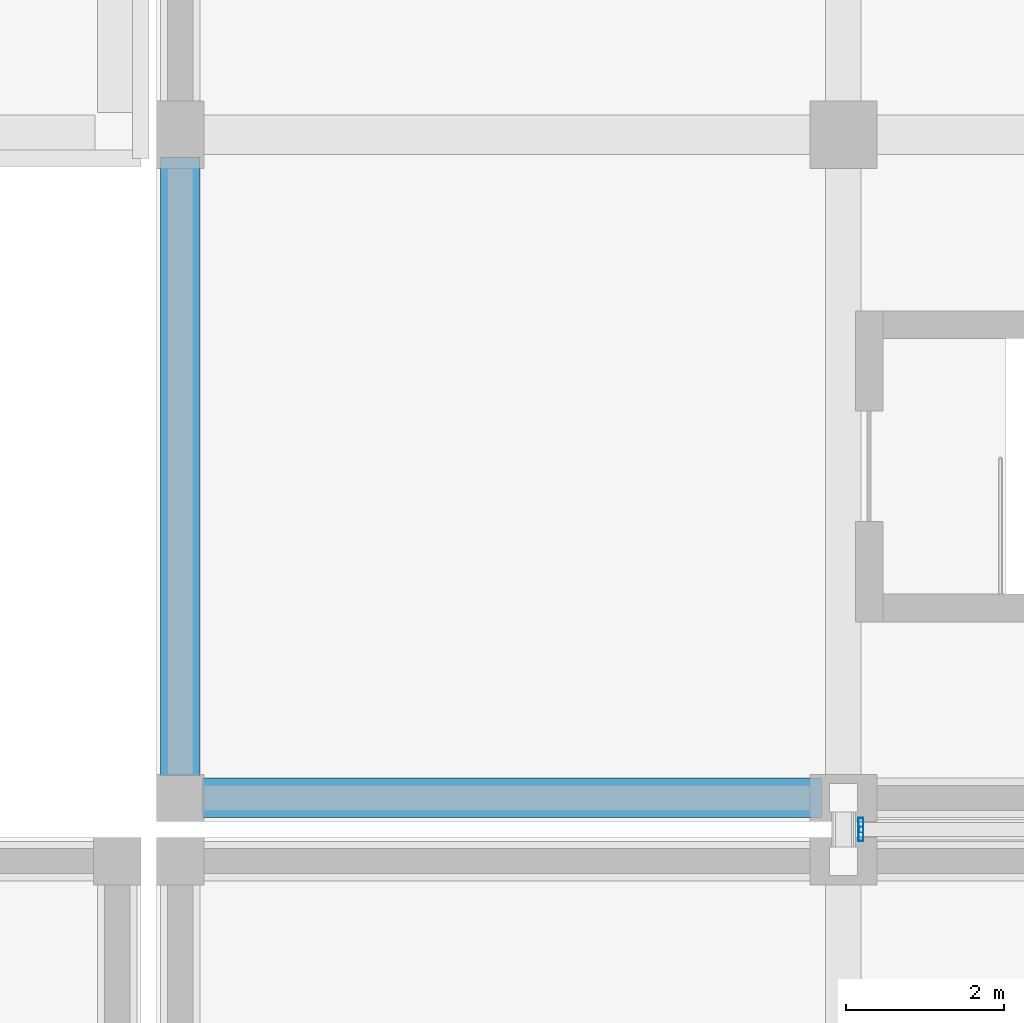
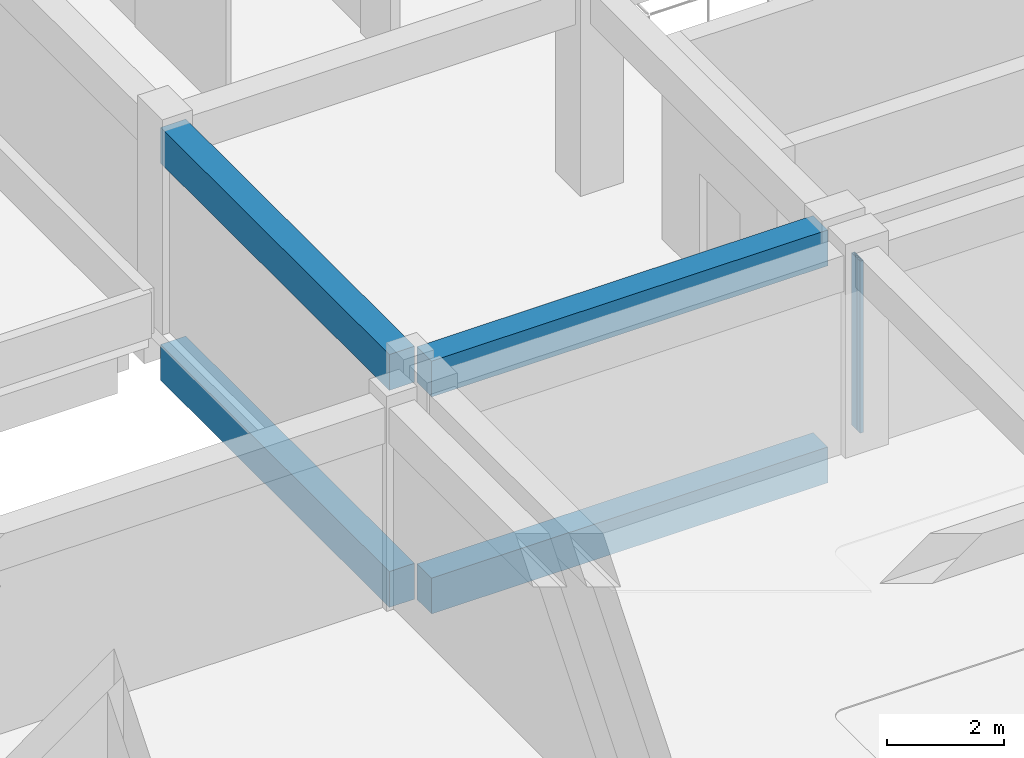
# One storey, part 36 of 129: 4 beams, 2 members, 1 element without a shape of its own.
"""IFC4 building model written with IfcOpenShell, lengths in metres."""

from ifc_helpers import new_model, si_unit, direction, frame, origin, origin_2d, place, context, subcontext, project, spatial, rectangle, hollow_rectangle, extrude, material, layer, layer_set, material_profile, profile_set, type_object, element, aggregate, save


model = new_model("IFC4")

# Units and contexts
model_context = context("Model", 3, precision=1e-05, world=origin(), true_north=direction((0.0, 1.0)))
body_context = subcontext(model_context, "Body", "Model", "MODEL_VIEW")
ifc_project = project(units=[si_unit("LENGTHUNIT", "METRE"), si_unit("AREAUNIT", "SQUARE_METRE"), si_unit("VOLUMEUNIT", "CUBIC_METRE"), si_unit("PLANEANGLEUNIT", "RADIAN"), si_unit("MASSUNIT", "GRAM", prefix="KILO")], contexts=[model_context])

# Site, building, storey
site_placement = place(None, origin())
site = spatial("IfcSite", under=ifc_project, at=site_placement, CompositionType="ELEMENT")
building_placement = place(site_placement, origin())
building = spatial("IfcBuilding", under=site, at=building_placement, Name="Xazarin Passage Department Store", CompositionType="ELEMENT")
storey_placement = place(building_placement, frame((0.0, 0.0, 9.89990234375)))
storey = spatial("IfcBuildingStorey", under=building, at=storey_placement, Name="L02", CompositionType="ELEMENT", Elevation=9.89990234375)

# Curtain wall, members
ifc_material_1 = material(Name="Bronze anodised aluminium", Category="aluminium")
ifc_layer = layer(ifc_material_1, 0.14990234375)
ifc_layer_set = layer_set([ifc_layer], Name="Bronze anodised aluminium")
curtain_wall_type = type_object("IfcCurtainWallType", Name="ARC-CW-BRG1", PredefinedType="NOTDEFINED", material=ifc_layer_set)
curtain_wall_placement = place(storey_placement, origin())
curtain_wall = element("IfcCurtainWall", 1, at=curtain_wall_placement, inside=storey, type_object=curtain_wall_type, Name="L02 BR-V2S-V2N Bridge Curtain Wall 1", PredefinedType="NOTDEFINED")
ifc_material_profile_1 = material_profile(ifc_material_1, hollow_rectangle(XDim=0.06494140625, YDim=0.179931640625, WallThickness=0.00390625, at=origin_2d()), Name="ALU 65x180")
ifc_profile_set_1 = profile_set([ifc_material_profile_1], Name="Bronze anodised aluminium")
member_type = type_object("IfcMemberType", Name="ARC-CWM-65x180", PredefinedType="MULLION", material=ifc_profile_set_1)
member_1_placement = place(storey_placement, frame((76.6201171875, 50.742431640625, 0.0), z_axis=(0.0, 0.0, 1.0), x_axis=(-1.0, 0.0, 0.0)))
member_1 = element("IfcMember", 2, at=member_1_placement, type_object=member_type, Name="CW7 mullion 1", PredefinedType="MULLION", context=body_context, shape_type="SweptSolid", body=[
    extrude(hollow_rectangle(XDim=0.06494140625, YDim=0.179931640625, WallThickness=0.00390625, at=origin_2d()), origin(), (0.0, 0.0, 1.0), 3.60009765625),
])
member_2_placement = place(storey_placement, frame((76.6201171875, 50.857421875, 0.0), z_axis=(0.0, 0.0, 1.0), x_axis=(-1.0, 0.0, 0.0)))
member_2 = element("IfcMember", 3, at=member_2_placement, type_object=member_type, Name="CW7 mullion 2", PredefinedType="MULLION", context=body_context, shape_type="SweptSolid", body=[
    extrude(hollow_rectangle(XDim=0.06494140625, YDim=0.179931640625, WallThickness=0.00390625, at=origin_2d()), origin(), (0.0, 0.0, 1.0), 3.60009765625),
])
aggregate(curtain_wall, [member_1, member_2])

# Beams
ifc_material_2 = material(Name="Concrete C35/45", Category="concrete")
ifc_material_profile_2 = material_profile(ifc_material_2, rectangle(XDim=0.5, YDim=0.75, at=origin_2d()), Name="RC 500x750")
ifc_profile_set_2 = profile_set([ifc_material_profile_2], Name="Concrete C35/45")
beam_type = type_object("IfcBeamType", Name="STR-BM-SP500x750", PredefinedType="SPANDREL", material=ifc_profile_set_2)
for number, where, z_axis, x_axis, name in (
    (4, (68.280029296875, 51.199951171875, -0.6748046875), (1.0, 0.0, 0.0), (0.0, 1.0, 0.0), "L02 Grid Beam H/10-11"),
    (5, (68.0, 51.47998046875, -0.6748046875), (0.0, 1.0, 0.0), (-1.0, 0.0, 0.0), "L02 Grid Beam 10/H-J"),
    (6, (68.280029296875, 51.199951171875, 3.864990234375), (1.0, 0.0, 0.0), (0.0, 1.0, 0.0), "L02 Grid Beam H/10-11"),
    (7, (68.0, 51.47998046875, 3.864990234375), (0.0, 1.0, 0.0), (-1.0, 0.0, 0.0), "L02 Grid Beam 10/H-J"),
):
    element("IfcBeam", number, at=place(storey_placement, frame(where, z_axis=z_axis, x_axis=x_axis)), inside=storey, type_object=beam_type, Name=name, PredefinedType="SPANDREL", context=body_context, shape_type="SweptSolid", body=[
        extrude(rectangle(XDim=0.5, YDim=0.75, at=origin_2d()), origin(), (0.0, 0.0, 1.0), 7.840087890625),
    ])

save(model, "model.ifc")
